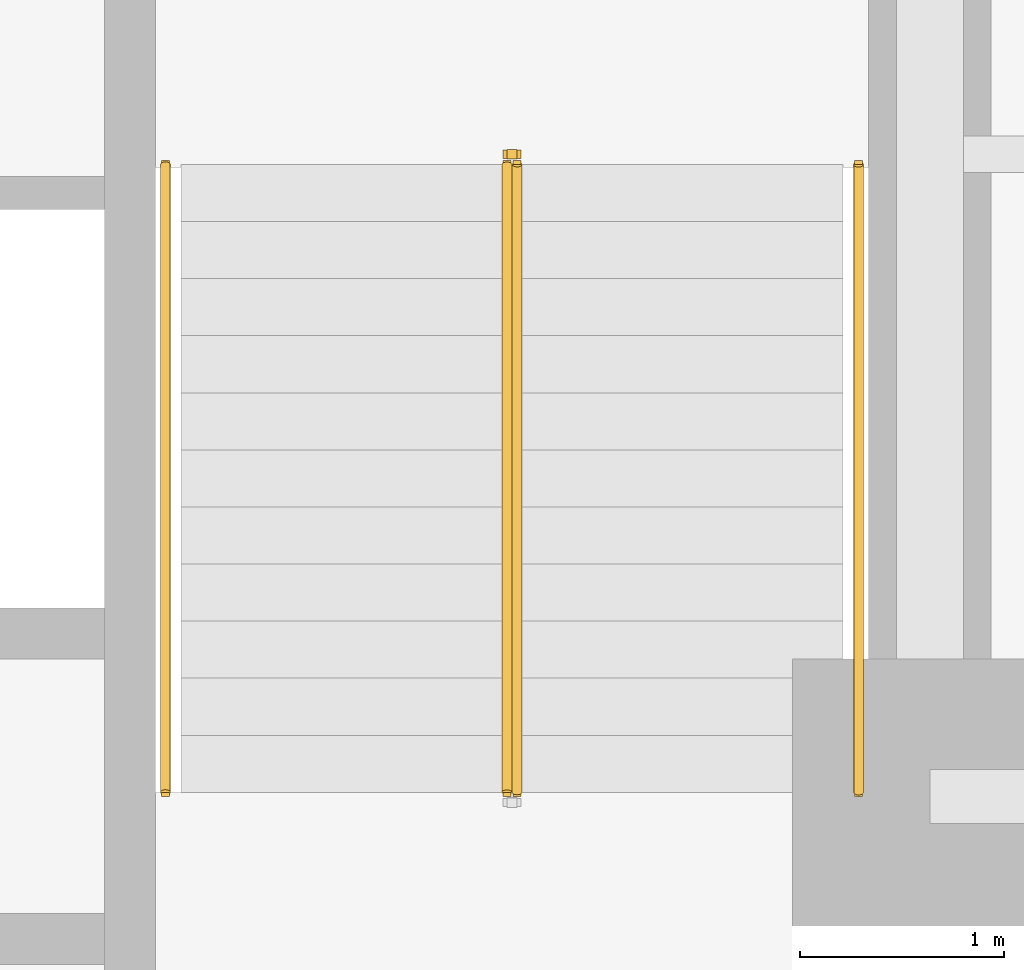
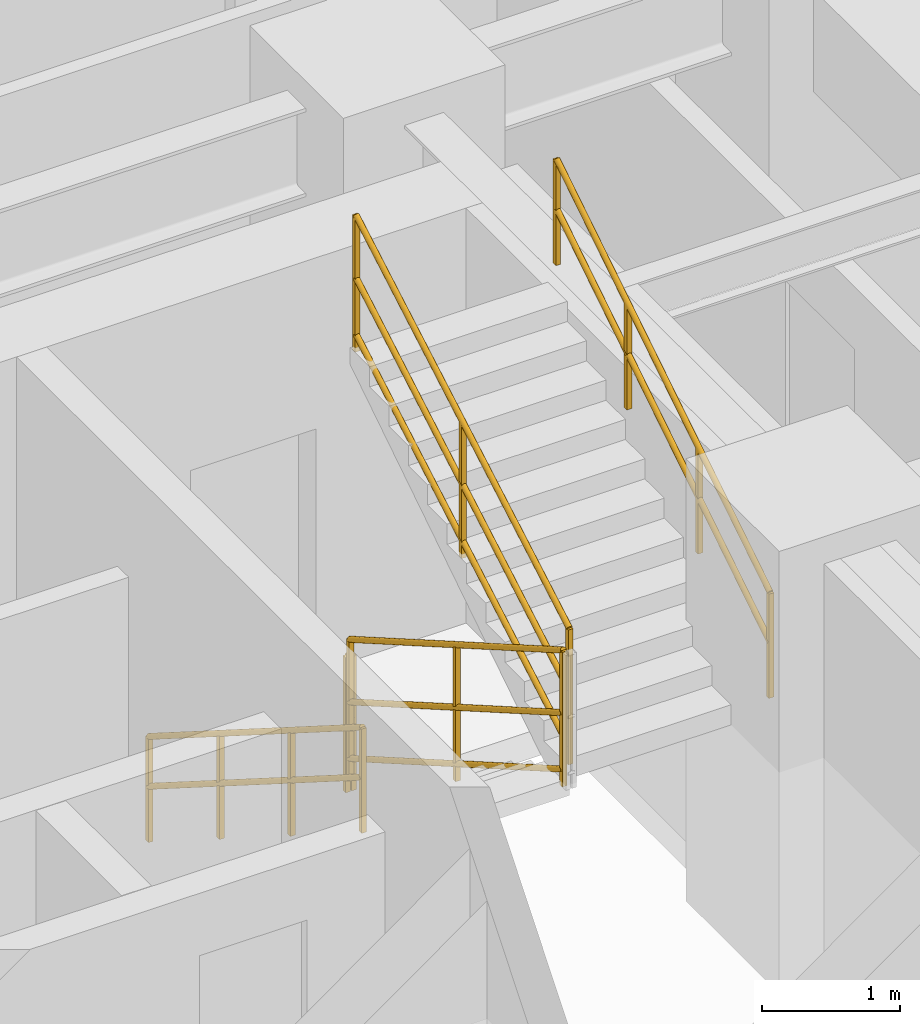
# One storey, part 8 of 9: 5 railings.
"""IFC4 building model written with IfcOpenShell, lengths in metres."""

from ifc_helpers import new_model, entity, si_unit, converted_unit, direction, frame, origin_with_axes, origin_2d_with_axis, place, context, subcontext, project, spatial, rectangle, circle, extrude, material, type_object, element, save


model = new_model("IFC4")

# Units and contexts
model_context = context("Model", 3, precision=1e-05, world=origin_with_axes(), true_north=direction((0.0, 1.0)))
body_context = subcontext(model_context, "Body", "Model", "MODEL_VIEW")
ifc_project = project(units=[si_unit("LENGTHUNIT", "METRE"), si_unit("AREAUNIT", "SQUARE_METRE"), si_unit("VOLUMEUNIT", "CUBIC_METRE"), converted_unit("PLANEANGLEUNIT", "DEGREE", entity("IfcPlaneAngleMeasure", 0.017453292519943295), si_unit("PLANEANGLEUNIT", "RADIAN"), dimensions=[0, 0, 0, 0, 0, 0, 0]), si_unit("MASSUNIT", "GRAM", prefix="KILO"), si_unit("THERMODYNAMICTEMPERATUREUNIT", "KELVIN")], contexts=[model_context])

# Site, building, storey
site_placement = place(None, origin_with_axes())
site = spatial("IfcSite", under=ifc_project, at=site_placement, CompositionType="ELEMENT")
building_placement = place(site_placement, origin_with_axes())
building = spatial("IfcBuilding", under=site, at=building_placement, Name="Varnlund Millrace Tower", CompositionType="ELEMENT")
storey_placement = place(building_placement, frame((0.0, 0.0, 32.7), z_axis=(0.0, 0.0, 1.0), x_axis=(1.0, 0.0, 0.0)))
storey = spatial("IfcBuildingStorey", under=building, at=storey_placement, Name="L07", CompositionType="ELEMENT", Elevation=32.7)

# Railings
ifc_material_1 = material(Name="Painted steel stair well balustrade guard", Category="steel")
railing_type_1 = type_object("IfcRailingType", Name="Type-StairGuard-1150", PredefinedType="GUARDRAIL", material=ifc_material_1)
railing_1_placement = place(storey_placement, frame((0.0, 0.0, -32.7), z_axis=(0.0, 0.0, 1.0), x_axis=(1.0, 0.0, 0.0)))
element("IfcRailing", 1, at=railing_1_placement, inside=storey, type_object=railing_type_1, Name="Type-StairGuard-1150", PredefinedType="GUARDRAIL", context=body_context, shape_type="SweptSolid", body=[
    extrude(circle(Radius=0.024, at=origin_2d_with_axis()), frame((45.975, 21.1, 34.027273), z_axis=(0.0, -0.866696, 0.498836), x_axis=(1.0, 0.0, 0.0)), (0.0, 0.0, 1.0), 3.553725),
    extrude(circle(Radius=0.024, at=origin_2d_with_axis()), frame((45.975, 21.1, 32.977273), z_axis=(0.0, -0.866696, 0.498836), x_axis=(1.0, 0.0, 0.0)), (0.0, 0.0, 1.0), 3.553725),
    extrude(circle(Radius=0.024, at=origin_2d_with_axis()), frame((45.975, 21.1, 33.475273), z_axis=(0.0, -0.866696, 0.498836), x_axis=(1.0, 0.0, 0.0)), (0.0, 0.0, 1.0), 3.553725),
    extrude(rectangle(XDim=0.04, YDim=0.04, at=origin_2d_with_axis()), frame((45.975, 21.1, 32.837273), z_axis=(0.0, 0.0, 1.0), x_axis=(1.0, 0.0, 0.0)), (0.0, 0.0, 1.0), 1.19),
    extrude(rectangle(XDim=0.04, YDim=0.04, at=origin_2d_with_axis()), frame((45.975, 19.56, 33.723637), z_axis=(0.0, 0.0, 1.0), x_axis=(1.0, 0.0, 0.0)), (0.0, 0.0, 1.0), 1.19),
    extrude(rectangle(XDim=0.04, YDim=0.04, at=origin_2d_with_axis()), frame((45.975, 18.02, 34.61), z_axis=(0.0, 0.0, 1.0), x_axis=(1.0, 0.0, 0.0)), (0.0, 0.0, 1.0), 1.19),
])
railing_2_placement = place(storey_placement, frame((0.0, 0.0, -32.7), z_axis=(0.0, 0.0, 1.0), x_axis=(1.0, 0.0, 0.0)))
element("IfcRailing", 2, at=railing_2_placement, inside=storey, type_object=railing_type_1, Name="Type-StairGuard-1150", PredefinedType="GUARDRAIL", context=body_context, shape_type="SweptSolid", body=[
    extrude(circle(Radius=0.024, at=origin_2d_with_axis()), frame((46.025, 18.02, 35.977273), z_axis=(0.0, 0.866696, 0.498836), x_axis=(-1.0, 0.0, 0.0)), (0.0, 0.0, 1.0), 3.553725),
    extrude(circle(Radius=0.024, at=origin_2d_with_axis()), frame((46.025, 18.02, 34.927273), z_axis=(0.0, 0.866696, 0.498836), x_axis=(-1.0, 0.0, 0.0)), (0.0, 0.0, 1.0), 3.553725),
    extrude(circle(Radius=0.024, at=origin_2d_with_axis()), frame((46.025, 18.02, 35.425273), z_axis=(0.0, 0.866696, 0.498836), x_axis=(-1.0, 0.0, 0.0)), (0.0, 0.0, 1.0), 3.553725),
    extrude(rectangle(XDim=0.04, YDim=0.04, at=origin_2d_with_axis()), frame((46.025, 18.02, 34.787273), z_axis=(0.0, 0.0, 1.0), x_axis=(1.0, 0.0, 0.0)), (0.0, 0.0, 1.0), 1.19),
    extrude(rectangle(XDim=0.04, YDim=0.04, at=origin_2d_with_axis()), frame((46.025, 19.56, 35.673636), z_axis=(0.0, 0.0, 1.0), x_axis=(1.0, 0.0, 0.0)), (0.0, 0.0, 1.0), 1.19),
    extrude(rectangle(XDim=0.04, YDim=0.04, at=origin_2d_with_axis()), frame((46.025, 21.1, 36.56), z_axis=(0.0, 0.0, 1.0), x_axis=(1.0, 0.0, 0.0)), (0.0, 0.0, 1.0), 1.19),
])
railing_3_placement = place(storey_placement, frame((0.0, 0.0, -32.7), z_axis=(0.0, 0.0, 1.0), x_axis=(1.0, 0.0, 0.0)))
element("IfcRailing", 3, at=railing_3_placement, inside=storey, type_object=railing_type_1, Name="Type-StairGuard-1150", PredefinedType="GUARDRAIL", context=body_context, shape_type="SweptSolid", body=[
    extrude(circle(Radius=0.024, at=origin_2d_with_axis()), frame((46.025, 21.15, 33.85), z_axis=(-1.0, 0.0, 0.0), x_axis=(0.0, -1.0, 0.0)), (0.0, 0.0, 1.0), 0.05),
    extrude(circle(Radius=0.024, at=origin_2d_with_axis()), frame((46.025, 21.15, 32.8), z_axis=(-1.0, 0.0, 0.0), x_axis=(0.0, -1.0, 0.0)), (0.0, 0.0, 1.0), 0.05),
    extrude(circle(Radius=0.024, at=origin_2d_with_axis()), frame((46.025, 21.15, 33.298), z_axis=(-1.0, 0.0, 0.0), x_axis=(0.0, -1.0, 0.0)), (0.0, 0.0, 1.0), 0.05),
    extrude(rectangle(XDim=0.04, YDim=0.04, at=origin_2d_with_axis()), frame((46.025, 21.15, 32.66), z_axis=(0.0, 0.0, 1.0), x_axis=(1.0, 0.0, 0.0)), (0.0, 0.0, 1.0), 1.19),
    extrude(rectangle(XDim=0.04, YDim=0.04, at=origin_2d_with_axis()), frame((45.975, 21.15, 32.66), z_axis=(0.0, 0.0, 1.0), x_axis=(1.0, 0.0, 0.0)), (0.0, 0.0, 1.0), 1.19),
])
ifc_material_2 = material(Name="Brushed architectural bronze stair handrail", Category="aluminium")
railing_type_2 = type_object("IfcRailingType", Name="Type-StairHandrail-900", PredefinedType="HANDRAIL", material=ifc_material_2)
railing_4_placement = place(storey_placement, frame((0.0, 0.0, -32.7), z_axis=(0.0, 0.0, 1.0), x_axis=(1.0, 0.0, 0.0)))
element("IfcRailing", 4, at=railing_4_placement, inside=storey, type_object=railing_type_2, Name="Type-StairHandrail-900", PredefinedType="HANDRAIL", context=body_context, shape_type="SweptSolid", body=[
    extrude(circle(Radius=0.024, at=origin_2d_with_axis()), frame((44.3, 21.1, 33.756995), z_axis=(0.0, -0.844902, 0.534922), x_axis=(1.0, 0.0, 0.0)), (0.0, 0.0, 1.0), 3.645394),
    extrude(circle(Radius=0.024, at=origin_2d_with_axis()), frame((44.3, 21.1, 33.317134), z_axis=(0.0, -0.844902, 0.534922), x_axis=(1.0, 0.0, 0.0)), (0.0, 0.0, 1.0), 3.645394),
    extrude(rectangle(XDim=0.04, YDim=0.04, at=origin_2d_with_axis()), frame((44.3, 21.1, 32.837273), z_axis=(0.0, 0.0, 1.0), x_axis=(1.0, 0.0, 0.0)), (0.0, 0.0, 1.0), 0.919722),
    extrude(rectangle(XDim=0.04, YDim=0.04, at=origin_2d_with_axis()), frame((44.3, 20.073333, 33.487273), z_axis=(0.0, 0.0, 1.0), x_axis=(1.0, 0.0, 0.0)), (0.0, 0.0, 1.0), 0.919722),
    extrude(rectangle(XDim=0.04, YDim=0.04, at=origin_2d_with_axis()), frame((44.3, 19.046667, 34.137273), z_axis=(0.0, 0.0, 1.0), x_axis=(1.0, 0.0, 0.0)), (0.0, 0.0, 1.0), 0.919722),
    extrude(rectangle(XDim=0.04, YDim=0.04, at=origin_2d_with_axis()), frame((44.3, 18.02, 34.787273), z_axis=(0.0, 0.0, 1.0), x_axis=(1.0, 0.0, 0.0)), (0.0, 0.0, 1.0), 0.919722),
])
railing_5_placement = place(storey_placement, frame((0.0, 0.0, -32.7), z_axis=(0.0, 0.0, 1.0), x_axis=(1.0, 0.0, 0.0)))
element("IfcRailing", 5, at=railing_5_placement, inside=storey, type_object=railing_type_2, Name="Type-StairHandrail-900", PredefinedType="HANDRAIL", context=body_context, shape_type="SweptSolid", body=[
    extrude(circle(Radius=0.024, at=origin_2d_with_axis()), frame((47.7, 18.02, 35.706995), z_axis=(0.0, 0.844902, 0.534922), x_axis=(-1.0, 0.0, 0.0)), (0.0, 0.0, 1.0), 3.645394),
    extrude(circle(Radius=0.024, at=origin_2d_with_axis()), frame((47.7, 18.02, 35.267134), z_axis=(0.0, 0.844902, 0.534922), x_axis=(-1.0, 0.0, 0.0)), (0.0, 0.0, 1.0), 3.645394),
    extrude(rectangle(XDim=0.04, YDim=0.04, at=origin_2d_with_axis()), frame((47.7, 18.02, 34.787273), z_axis=(0.0, 0.0, 1.0), x_axis=(1.0, 0.0, 0.0)), (0.0, 0.0, 1.0), 0.919722),
    extrude(rectangle(XDim=0.04, YDim=0.04, at=origin_2d_with_axis()), frame((47.7, 19.046667, 35.437273), z_axis=(0.0, 0.0, 1.0), x_axis=(1.0, 0.0, 0.0)), (0.0, 0.0, 1.0), 0.919722),
    extrude(rectangle(XDim=0.04, YDim=0.04, at=origin_2d_with_axis()), frame((47.7, 20.073333, 36.087273), z_axis=(0.0, 0.0, 1.0), x_axis=(1.0, 0.0, 0.0)), (0.0, 0.0, 1.0), 0.919722),
    extrude(rectangle(XDim=0.04, YDim=0.04, at=origin_2d_with_axis()), frame((47.7, 21.1, 36.737273), z_axis=(0.0, 0.0, 1.0), x_axis=(1.0, 0.0, 0.0)), (0.0, 0.0, 1.0), 0.919722),
])

save(model, "model.ifc")
